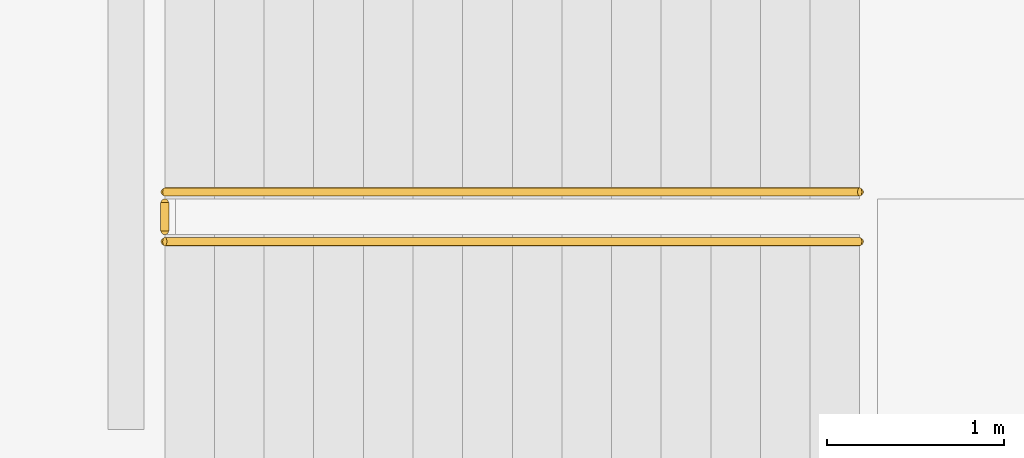
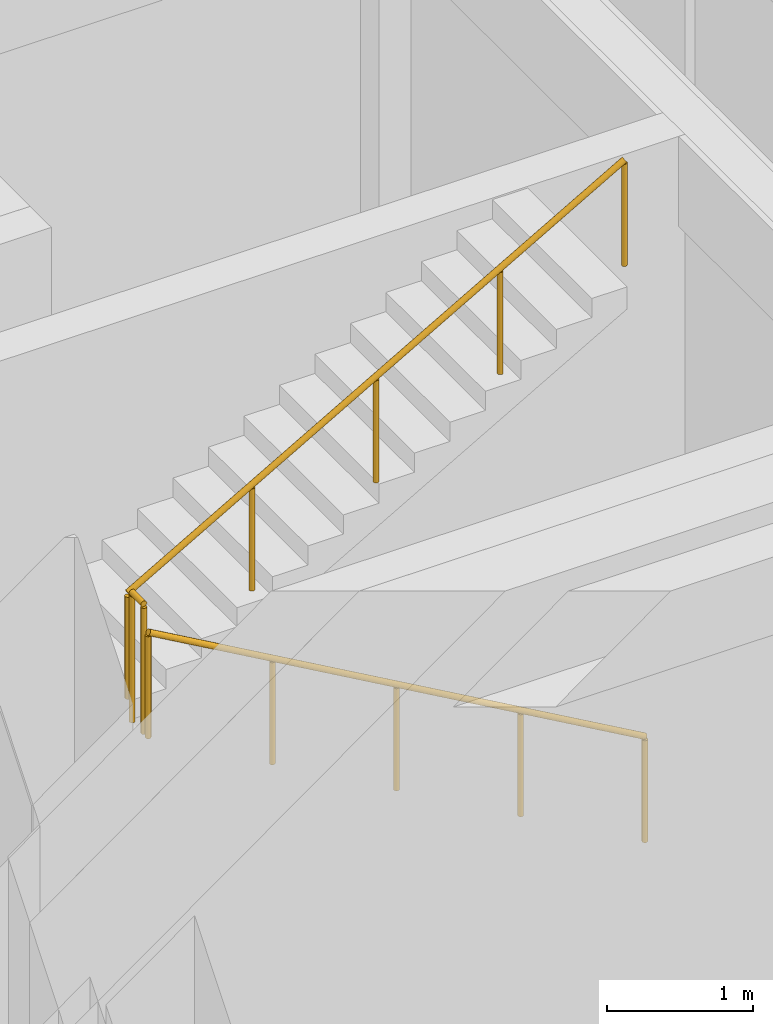
# One storey, part 30 of 35: 3 railings.
"""IFC4 building model written with IfcOpenShell, lengths in metres."""

import ifcopenshell
import ifcopenshell.guid

model = None  # the IFC model being written
_history = None  # IfcOwnerHistory: only IFC2X3 demands one
_inside = {}  # id of a spatial element -> (the spatial element, [elements in it])
_under = {}  # id of a project, library or spatial element -> (it, [spatial elements below it])
_declared = {}  # id of a project -> (the project, [libraries it declares])
_typed = {}  # id of a type object -> (the type object, [elements of that type])
_made_of = {}  # id of a material, layer set ... -> (it, [elements and type objects made of it])


def new_model(schema):
    """Start an empty IFC model of exactly this schema.

    Asked for "IFC4X3", IfcOpenShell would pick the latest addendum, in which some entities
    have other attributes; the version numbers below select the first issue.
    IFC2X3 requires an IfcOwnerHistory on every rooted entity: one is made here for all.
    """
    global model, _history
    if schema == "IFC4X3":
        model = ifcopenshell.file(schema_version=(4, 3, 0, 0))
    else:
        model = ifcopenshell.file(schema=schema)
    _inside.clear()
    _under.clear()
    _declared.clear()
    _typed.clear()
    _made_of.clear()
    _history = None
    if model.schema == "IFC2X3":
        org = make("IfcOrganization", Name="unknown")
        user = make(
            "IfcPersonAndOrganization",
            ThePerson=make("IfcPerson", FamilyName="unknown"),
            TheOrganization=org,
        )
        app = make(
            "IfcApplication",
            ApplicationDeveloper=org,
            Version="unknown",
            ApplicationFullName="unknown",
            ApplicationIdentifier="unknown",
        )
        _history = make(
            "IfcOwnerHistory",
            OwningUser=user,
            OwningApplication=app,
            ChangeAction="ADDED",
            CreationDate=0,
        )
    return model


def make(cls, **values):
    """One entity of the class cls with the attributes given. An attribute that is None is left unset."""
    return model.create_entity(
        cls, **{name: value for name, value in values.items() if value is not None}
    )


def rooted(cls, **values):
    """An entity with a GlobalId (a new one), such as an element, a storey or a relation."""
    return make(cls, GlobalId=ifcopenshell.guid.new(), OwnerHistory=_history, **values)


def si_unit(unit_type, name, prefix=None):
    """IfcSIUnit, for example si_unit("LENGTHUNIT", "METRE", prefix="MILLI")."""
    return make("IfcSIUnit", UnitType=unit_type, Prefix=prefix, Name=name)


def assignment(units):
    """IfcUnitAssignment: the units of a project."""
    return None if units is None else make("IfcUnitAssignment", Units=units)


def point(xyz):
    """IfcCartesianPoint."""
    return None if xyz is None else make("IfcCartesianPoint", Coordinates=xyz)


def direction(xyz):
    """IfcDirection."""
    return None if xyz is None else make("IfcDirection", DirectionRatios=xyz)


def frame(location, z_axis=None, x_axis=None):
    """IfcAxis2Placement3D, a coordinate frame: its origin and axes. An axis left out is left unset."""
    return make(
        "IfcAxis2Placement3D",
        Location=point(location),
        Axis=direction(z_axis),
        RefDirection=direction(x_axis),
    )


def frame_2d(location, x_axis=None):
    """IfcAxis2Placement2D, a coordinate frame in the plane: its origin and x axis."""
    return make(
        "IfcAxis2Placement2D", Location=point(location), RefDirection=direction(x_axis)
    )


def origin():
    """The frame at (0, 0, 0) with its axes left unset."""
    return frame((0.0, 0.0, 0.0))


def origin_2d():
    """The frame at (0, 0) in the plane with its x axis left unset."""
    return frame_2d((0.0, 0.0))


def place(relative_to, where):
    """IfcLocalPlacement: puts the frame where relative to a parent placement (None: the world)."""
    return make(
        "IfcLocalPlacement", PlacementRelTo=relative_to, RelativePlacement=where
    )


def context(
    kind, dimensions, precision=None, world=None, true_north=None, identifier=None
):
    """IfcGeometricRepresentationContext, for example the 3D "Model" context."""
    return make(
        "IfcGeometricRepresentationContext",
        ContextIdentifier=identifier,
        ContextType=kind,
        CoordinateSpaceDimension=dimensions,
        Precision=precision,
        WorldCoordinateSystem=world,
        TrueNorth=true_north,
    )


def subcontext(parent, identifier, kind, view, scale=None):
    """IfcGeometricRepresentationSubContext, for example "Body" below "Model"."""
    return make(
        "IfcGeometricRepresentationSubContext",
        ContextIdentifier=identifier,
        ContextType=kind,
        ParentContext=parent,
        TargetScale=scale,
        TargetView=view,
    )


def project(units=None, contexts=None):
    """IfcProject with its units and contexts."""
    return rooted(
        "IfcProject",
        Name="project",
        RepresentationContexts=contexts,
        UnitsInContext=assignment(units),
    )


def spatial(cls, under=None, at=None, **own):
    """A site, building, storey or space (cls), placed at a placement, below another one or the project."""
    s = rooted(cls, ObjectPlacement=at, **own)
    if under is not None:
        _under.setdefault(under.id(), (under, []))[1].append(s)
    return s


def profile(cls, at=None, kind="AREA", **sizes):
    """A parametric profile (cls). Its sizes go by their IFC names, for example OverallWidth=200.0."""
    return make(cls, ProfileType=kind, Position=at, **sizes)


def circle(**sizes):
    """IfcCircleProfileDef."""
    return profile("IfcCircleProfileDef", **sizes)


def extrude(swept, where, along, depth):
    """IfcExtrudedAreaSolid: the profile swept, set in the frame where, extruded along a direction by depth."""
    return make(
        "IfcExtrudedAreaSolid",
        SweptArea=swept,
        Position=where,
        ExtrudedDirection=direction(along),
        Depth=depth,
    )


def shape(context_of_items, identifier, shape_type, items):
    """IfcShapeRepresentation: the items that make up one representation, for example the "Body"."""
    return make(
        "IfcShapeRepresentation",
        ContextOfItems=context_of_items,
        RepresentationIdentifier=identifier,
        RepresentationType=shape_type,
        Items=items,
    )


def material(Name=None, Category=None):
    """IfcMaterial."""
    return make("IfcMaterial", Name=Name, Category=Category)


def made_of(thing, what):
    """Note that an element or type object is made of a material, layer set ...; save() writes the relation."""
    if what is not None:
        _made_of.setdefault(what.id(), (what, []))[1].append(thing)
    return thing


def type_object(cls, material=None, **own):
    """A type object (cls), such as IfcWallType, which elements share."""
    return made_of(rooted(cls, **own), material)


def element(
    cls,
    number,
    at=None,
    inside=None,
    cuts=None,
    type_object=None,
    material=None,
    context=None,
    identifier="Body",
    shape_type=None,
    held_by="IfcProductDefinitionShape",
    body=None,
    shapes=None,
    **own,
):
    """One element of the class cls, such as IfcWall. Its Tag is "e" and its number.

    at: its placement. inside: the storey or other place that contains it. cuts: it is an
    opening in that element (IfcRelVoidsElement). A single representation is given by context,
    identifier, shape_type and body (its items); several are given by shapes. held_by: the class
    of the entity that holds the representations. save() writes the other relations.
    """
    e = rooted(cls, Tag="e%d" % number, ObjectPlacement=at, **own)
    if body is not None:
        shapes = [shape(context, identifier, shape_type, body)]
    if shapes is not None:
        e.Representation = make(held_by, Representations=shapes)
    if inside is not None:
        _inside.setdefault(inside.id(), (inside, []))[1].append(e)
    if cuts is not None:
        rooted(
            "IfcRelVoidsElement", RelatingBuildingElement=cuts, RelatedOpeningElement=e
        )
    if type_object is not None:
        _typed.setdefault(type_object.id(), (type_object, []))[1].append(e)
    return made_of(e, material)


def aggregate(whole, parts):
    """IfcRelAggregates: a whole, such as a stair, and the parts it consists of."""
    return rooted("IfcRelAggregates", RelatingObject=whole, RelatedObjects=parts)


def save(model, path):
    """Write the relations noted so far, then the file.

    IfcRelAggregates (storeys below a building ...), IfcRelContainedInSpatialStructure (elements
    in a storey), IfcRelDefinesByType, IfcRelAssociatesMaterial and IfcRelDeclares: one each for
    every whole, place, type object, material and project.
    """
    for whole, parts in _under.values():
        aggregate(whole, parts)
    for where, things in _inside.values():
        rooted(
            "IfcRelContainedInSpatialStructure",
            RelatedElements=things,
            RelatingStructure=where,
        )
    for kind, things in _typed.values():
        rooted("IfcRelDefinesByType", RelatedObjects=things, RelatingType=kind)
    for what, things in _made_of.values():
        rooted("IfcRelAssociatesMaterial", RelatedObjects=things, RelatingMaterial=what)
    for by, libraries in _declared.values():
        rooted("IfcRelDeclares", RelatingContext=by, RelatedDefinitions=libraries)
    model.write(path)


model = new_model("IFC4")

# Units and contexts
model_context = context("Model", 3, precision=1e-05, world=origin(), true_north=direction((0.0, 1.0)))
body_context = subcontext(model_context, "Body", "Model", "MODEL_VIEW")
ifc_project = project(units=[si_unit("LENGTHUNIT", "METRE"), si_unit("AREAUNIT", "SQUARE_METRE"), si_unit("VOLUMEUNIT", "CUBIC_METRE"), si_unit("PLANEANGLEUNIT", "RADIAN"), si_unit("MASSUNIT", "GRAM", prefix="KILO")], contexts=[model_context])

# Site, building, storey
site_placement = place(None, origin())
site = spatial("IfcSite", under=ifc_project, at=site_placement, CompositionType="ELEMENT")
building_placement = place(site_placement, origin())
building = spatial("IfcBuilding", under=site, at=building_placement, Name="Cinchona Park Media Centre", CompositionType="ELEMENT")
storey_placement = place(building_placement, frame((0.0, 0.0, -4.800048828125)))
storey = spatial("IfcBuildingStorey", under=building, at=storey_placement, Name="B1", CompositionType="ELEMENT", Elevation=-4.800048828125)

# Railings
ifc_material_1 = material(Name="Painted Steel Stairwell Guardrail", Category="steel")
railing_type_1 = type_object("IfcRailingType", Name="RAILING-GR02", PredefinedType="GUARDRAIL", material=ifc_material_1)
railing_1_placement = place(storey_placement, frame((9.97998046875, 65.719970703125, 2.400146484375)))
element("IfcRailing", 1, at=railing_1_placement, inside=storey, type_object=railing_type_1, Name="Half-Landing Guardrail GR02 ST3 B1", PredefinedType="GUARDRAIL", context=body_context, shape_type="SweptSolid", body=[
    extrude(circle(Radius=0.02392578125, at=origin_2d()), frame((0.0, 0.0, 1.076171875), z_axis=(0.0, 1.0, 0.0), x_axis=(-1.0, 0.0, 0.0)), (0.0, 0.0, 1.0), 0.159912109375),
    extrude(circle(Radius=0.02099609375, at=origin_2d()), origin(), (0.0, 0.0, 1.0), 1.052001953125),
    extrude(circle(Radius=0.02099609375, at=origin_2d()), frame((0.0, 0.159912109375, 0.0)), (0.0, 0.0, 1.0), 1.052001953125),
])
ifc_material_2 = material(Name="Brushed Stainless Steel Handrail", Category="steel")
railing_type_2 = type_object("IfcRailingType", Name="RAILING-HR01", PredefinedType="HANDRAIL", material=ifc_material_2)
railing_2_placement = place(storey_placement, frame((13.89990234375, 65.659912109375, 0.16015625)))
element("IfcRailing", 2, at=railing_2_placement, inside=storey, type_object=railing_type_2, Name="Stair Handrail HR01 ST3 B1 F1", PredefinedType="HANDRAIL", context=body_context, shape_type="SweptSolid", body=[
    extrude(circle(Radius=0.02392578125, at=origin_2d()), frame((0.0, 0.0, 0.8759765625), z_axis=(-0.868239814368, 0.0, 0.496144761885), x_axis=(0.0, -1.0, 0.0)), (0.0, 0.0, 1.0), 4.514892578125),
    extrude(circle(Radius=0.02099609375, at=origin_2d()), origin(), (0.0, 0.0, 1.0), 0.851806640625),
    extrude(circle(Radius=0.02099609375, at=origin_2d()), frame((-0.97998046875, 0.0, 0.56005859375)), (0.0, 0.0, 1.0), 0.851806640625),
    extrude(circle(Radius=0.02099609375, at=origin_2d()), frame((-1.9599609375, 0.0, 1.1201171875)), (0.0, 0.0, 1.0), 0.851806640625),
    extrude(circle(Radius=0.02099609375, at=origin_2d()), frame((-2.93994140625, 0.0, 1.679931640625)), (0.0, 0.0, 1.0), 0.851806640625),
    extrude(circle(Radius=0.02099609375, at=origin_2d()), frame((-3.919921875, 0.0, 2.239990234375)), (0.0, 0.0, 1.0), 0.851806640625),
])
railing_3_placement = place(storey_placement, frame((9.97998046875, 65.93994140625, 2.56005859375)))
element("IfcRailing", 3, at=railing_3_placement, inside=storey, type_object=railing_type_2, Name="Stair Handrail HR01 ST3 B1 F2", PredefinedType="HANDRAIL", context=body_context, shape_type="SweptSolid", body=[
    extrude(circle(Radius=0.02392578125, at=origin_2d()), frame((0.0, 0.0, 0.8759765625), z_axis=(0.868239814368, 0.0, 0.496144761885), x_axis=(0.0, 1.0, 0.0)), (0.0, 0.0, 1.0), 4.514892578125),
    extrude(circle(Radius=0.02099609375, at=origin_2d()), origin(), (0.0, 0.0, 1.0), 0.851806640625),
    extrude(circle(Radius=0.02099609375, at=origin_2d()), frame((0.97998046875, 0.0, 0.56005859375)), (0.0, 0.0, 1.0), 0.851806640625),
    extrude(circle(Radius=0.02099609375, at=origin_2d()), frame((1.9599609375, 0.0, 1.1201171875)), (0.0, 0.0, 1.0), 0.851806640625),
    extrude(circle(Radius=0.02099609375, at=origin_2d()), frame((2.93994140625, 0.0, 1.679931640625)), (0.0, 0.0, 1.0), 0.851806640625),
    extrude(circle(Radius=0.02099609375, at=origin_2d()), frame((3.919921875, 0.0, 2.239990234375)), (0.0, 0.0, 1.0), 0.851806640625),
])

save(model, "model.ifc")
